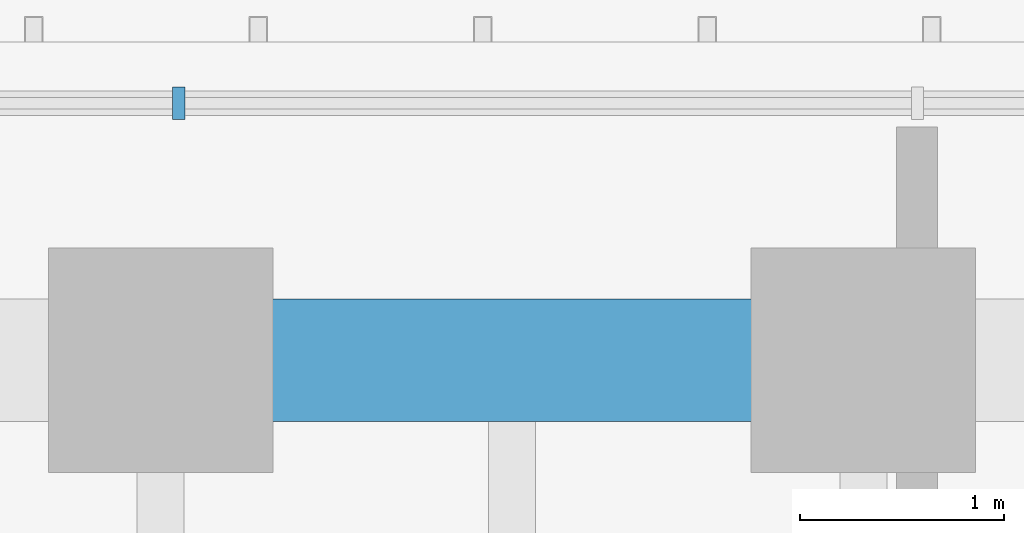
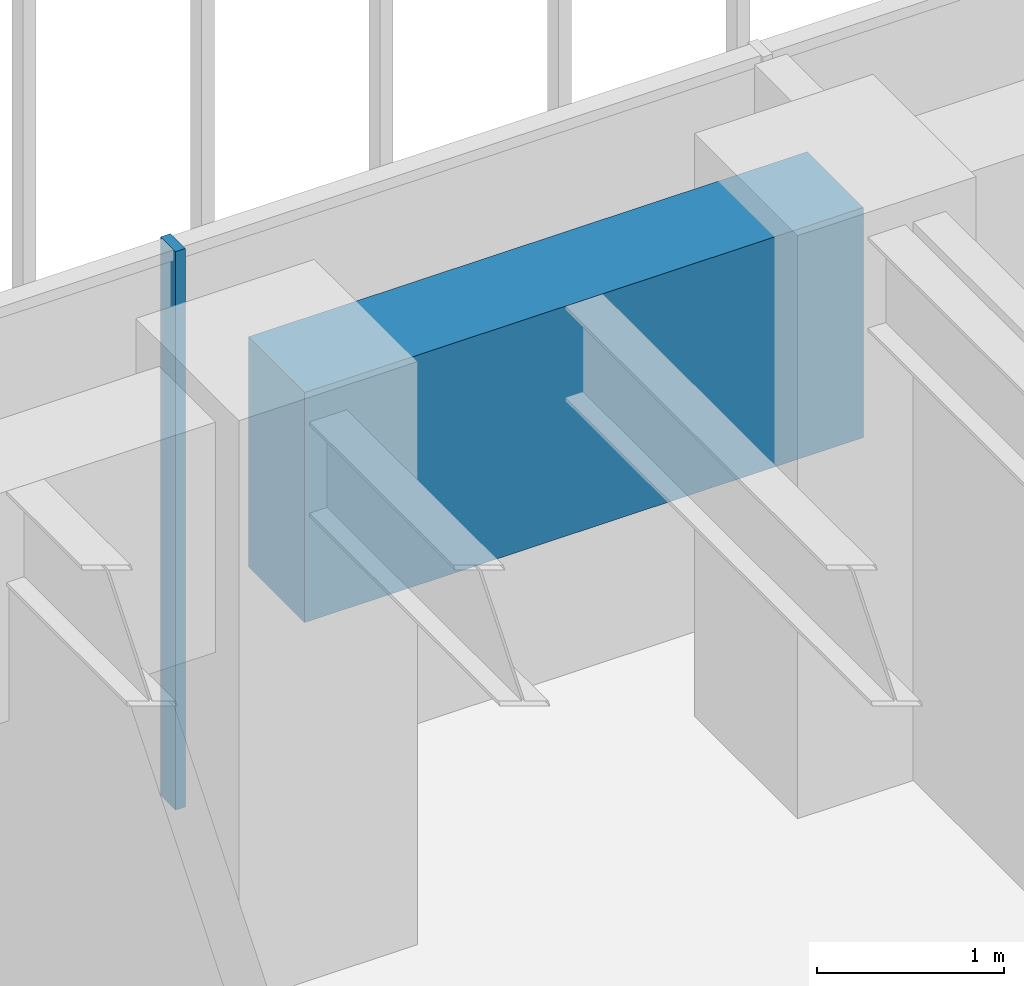
# One storey, part 87 of 127: 1 beam, 1 member, 1 element without a shape of its own.
"""IFC4 building model written with IfcOpenShell, lengths in metres."""

from ifc_helpers import new_model, si_unit, direction, frame, origin, origin_2d, place, context, subcontext, project, spatial, rectangle, extrude, material, material_profile, profile_set, type_object, element, aggregate, save


model = new_model("IFC4")

# Units and contexts
model_context = context("Model", 3, precision=1e-05, world=origin(), true_north=direction((0.0, 1.0)))
body_context = subcontext(model_context, "Body", "Model", "MODEL_VIEW")
ifc_project = project(units=[si_unit("LENGTHUNIT", "METRE"), si_unit("AREAUNIT", "SQUARE_METRE"), si_unit("VOLUMEUNIT", "CUBIC_METRE"), si_unit("PLANEANGLEUNIT", "RADIAN"), si_unit("MASSUNIT", "GRAM", prefix="KILO")], contexts=[model_context])

# Site, building, storey
site_placement = place(None, origin())
site = spatial("IfcSite", under=ifc_project, at=site_placement, CompositionType="ELEMENT")
building_placement = place(site_placement, origin())
building = spatial("IfcBuilding", under=site, at=building_placement, Name="Sandreach Pilgrim Tower", CompositionType="ELEMENT")
storey_placement = place(building_placement, frame((0.0, 0.0, 257.0)))
storey = spatial("IfcBuildingStorey", under=building, at=storey_placement, Name="L64", CompositionType="ELEMENT", Elevation=257.0)

# Curtain wall, member
ifc_material_1 = material(Name="Aluminium framed curtain wall", Category="aluminium")
curtain_wall_type = type_object("IfcCurtainWallType", Name="Suite tower curtain wall", PredefinedType="NOTDEFINED", material=ifc_material_1)
curtain_wall_placement = place(storey_placement, origin())
curtain_wall = element("IfcCurtainWall", 1, at=curtain_wall_placement, inside=storey, type_object=curtain_wall_type, Name="CW-4 L64 N", PredefinedType="NOTDEFINED")
ifc_material_2 = material(Name="Aluminium extrusion", Category="aluminium")
ifc_material_profile_1 = material_profile(ifc_material_2, rectangle(XDim=0.06005859375, YDim=0.159912109375, at=origin_2d()), Name="CW-4M 60X160")
ifc_profile_set_1 = profile_set([ifc_material_profile_1], Name="Aluminium extrusion")
member_type = type_object("IfcMemberType", Name="CW-4 mullion", PredefinedType="MULLION", material=ifc_profile_set_1)
member_placement = place(storey_placement, frame((1.81103515625, 19.826416015625, 0.0), z_axis=(0.0, 0.0, 1.0), x_axis=(1.0, 0.0, 0.0)))
member = element("IfcMember", 2, at=member_placement, type_object=member_type, Name="CW-4 mullion 6", PredefinedType="MULLION", context=body_context, shape_type="SweptSolid", body=[
    extrude(rectangle(XDim=0.06005859375, YDim=0.159912109375, at=origin_2d()), origin(), (0.0, 0.0, 1.0), 3.639892578125),
])
aggregate(curtain_wall, [member])

# Beam
ifc_material_3 = material(Name="Concrete 10000 psi", Category="concrete")
ifc_material_profile_2 = material_profile(ifc_material_3, rectangle(XDim=0.60009765625, YDim=1.5, at=origin_2d()), Name="RC600X1500")
ifc_profile_set_2 = profile_set([ifc_material_profile_2], Name="Concrete 10000 psi")
beam_type = type_object("IfcBeamType", Name="Spandrel beam RC600X1500", PredefinedType="SPANDREL", material=ifc_profile_set_2)
beam_placement = place(storey_placement, frame((1.722412109375, 18.56640625, 2.889892578125), z_axis=(1.0, 0.0, 0.0), x_axis=(0.0, 1.0, 0.0)))
element("IfcBeam", 3, at=beam_placement, inside=storey, type_object=beam_type, Name="BM L64 SP05", PredefinedType="SPANDREL", context=body_context, shape_type="SweptSolid", body=[
    extrude(rectangle(XDim=0.60009765625, YDim=1.5, at=origin_2d()), origin(), (0.0, 0.0, 1.0), 3.445068359375),
])

save(model, "model.ifc")
